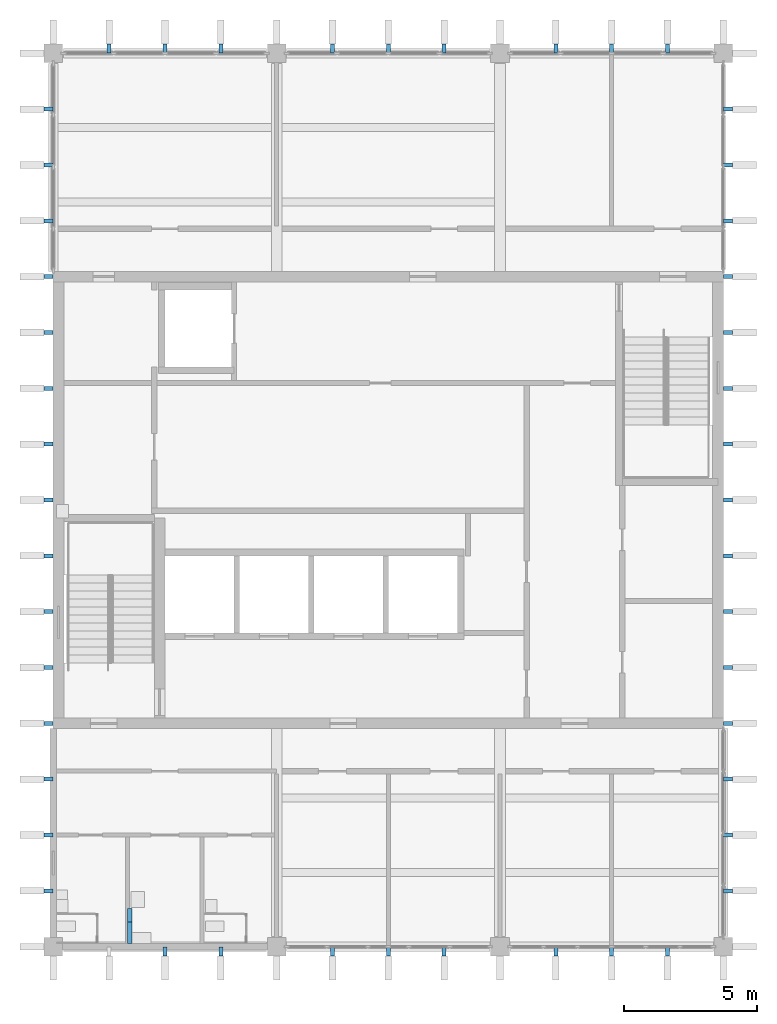
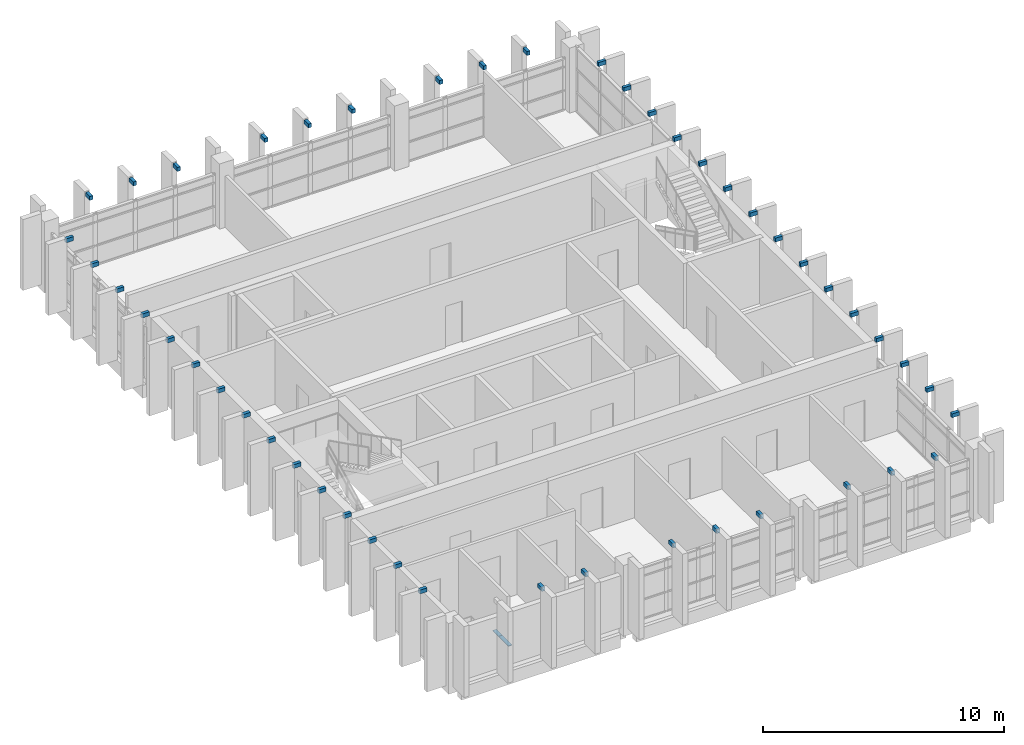
# One storey, part 9 of 11: 49 discrete accessories.
"""IFC4 building model written with IfcOpenShell, lengths in metres."""

from ifc_helpers import new_model, si_unit, direction, frame, origin, origin_2d, place, context, subcontext, project, spatial, rectangle, extrude, material, type_object, element, save


model = new_model("IFC4")

# Units and contexts
model_context = context("Model", 3, precision=1e-05, world=origin(), true_north=direction((0.0, 1.0)))
body_context = subcontext(model_context, "Body", "Model", "MODEL_VIEW")
ifc_project = project(units=[si_unit("LENGTHUNIT", "METRE"), si_unit("AREAUNIT", "SQUARE_METRE"), si_unit("VOLUMEUNIT", "CUBIC_METRE"), si_unit("PLANEANGLEUNIT", "RADIAN"), si_unit("MASSUNIT", "GRAM", prefix="KILO")], contexts=[model_context])

# Site, building, storey
site_placement = place(None, origin())
site = spatial("IfcSite", under=ifc_project, at=site_placement, CompositionType="ELEMENT")
building_placement = place(site_placement, origin())
building = spatial("IfcBuilding", under=site, at=building_placement, Name="Rulbaag Community and Learning Centre", CompositionType="ELEMENT")
storey_placement = place(building_placement, frame((0.0, 0.0, 50.39990234375)))
storey = spatial("IfcBuildingStorey", under=building, at=storey_placement, Name="L13", CompositionType="ELEMENT", Elevation=50.39990234375)

# Discrete accessories
ifc_material_1 = material(Name="Steel E350", Category="steel")
discrete_accessory_type_1 = type_object("IfcDiscreteAccessoryType", Name="BR-FN", PredefinedType="BRACKET", material=ifc_material_1)
for number, where, z_axis, x_axis, name in (
    (1, (147.0, 83.824951171875, 3.35009765625), (0.0, 0.0, 1.0), (1.0, 0.0, 0.0), "Fin arm"),
    (2, (149.10009765625, 83.824951171875, 3.35009765625), (0.0, 0.0, 1.0), (1.0, 0.0, 0.0), "Fin arm"),
    (3, (153.300048828125, 83.824951171875, 3.35009765625), (0.0, 0.0, 1.0), (1.0, 0.0, 0.0), "Fin arm"),
    (4, (155.39990234375, 83.824951171875, 3.35009765625), (0.0, 0.0, 1.0), (1.0, 0.0, 0.0), "Fin arm"),
    (5, (157.5, 83.824951171875, 3.35009765625), (0.0, 0.0, 1.0), (1.0, 0.0, 0.0), "Fin arm"),
    (6, (161.699951171875, 83.824951171875, 3.35009765625), (0.0, 0.0, 1.0), (1.0, 0.0, 0.0), "Fin arm"),
    (7, (163.800048828125, 83.824951171875, 3.35009765625), (0.0, 0.0, 1.0), (1.0, 0.0, 0.0), "Fin arm"),
    (8, (165.89990234375, 83.824951171875, 3.35009765625), (0.0, 0.0, 1.0), (1.0, 0.0, 0.0), "Fin arm"),
    (9, (144.89990234375, 117.77490234375, 3.35009765625), (0.0, 0.0, 1.0), (1.0, 0.0, 0.0), "Fin arm"),
    (10, (147.0, 117.77490234375, 3.35009765625), (0.0, 0.0, 1.0), (1.0, 0.0, 0.0), "Fin arm"),
    (11, (149.10009765625, 117.77490234375, 3.35009765625), (0.0, 0.0, 1.0), (1.0, 0.0, 0.0), "Fin arm"),
    (12, (153.300048828125, 117.77490234375, 3.35009765625), (0.0, 0.0, 1.0), (1.0, 0.0, 0.0), "Fin arm"),
    (13, (155.39990234375, 117.77490234375, 3.35009765625), (0.0, 0.0, 1.0), (1.0, 0.0, 0.0), "Fin arm"),
    (14, (157.5, 117.77490234375, 3.35009765625), (0.0, 0.0, 1.0), (1.0, 0.0, 0.0), "Fin arm"),
    (15, (161.699951171875, 117.77490234375, 3.35009765625), (0.0, 0.0, 1.0), (1.0, 0.0, 0.0), "Fin arm"),
    (16, (163.800048828125, 117.77490234375, 3.35009765625), (0.0, 0.0, 1.0), (1.0, 0.0, 0.0), "Fin arm"),
    (17, (165.89990234375, 117.77490234375, 3.35009765625), (0.0, 0.0, 1.0), (1.0, 0.0, 0.0), "Fin arm"),
):
    element("IfcDiscreteAccessory", number, at=place(storey_placement, frame(where, z_axis=z_axis, x_axis=x_axis)), inside=storey, type_object=discrete_accessory_type_1, Name=name, PredefinedType="BRACKET", context=body_context, shape_type="SweptSolid", body=[
        extrude(rectangle(XDim=0.14990234375, YDim=0.35009765625, at=origin_2d()), origin(), (0.0, 0.0, 1.0), 0.199951171875),
    ])
for number, where, z_axis, x_axis, name in (
    (18, (142.625, 86.10009765625, 3.35009765625), (0.0, 0.0, 1.0), (1.0, 0.0, 0.0), "Fin arm"),
    (19, (142.625, 88.199951171875, 3.35009765625), (0.0, 0.0, 1.0), (1.0, 0.0, 0.0), "Fin arm"),
    (20, (142.625, 90.300048828125, 3.35009765625), (0.0, 0.0, 1.0), (1.0, 0.0, 0.0), "Fin arm"),
    (21, (142.625, 92.39990234375, 3.35009765625), (0.0, 0.0, 1.0), (1.0, 0.0, 0.0), "Fin arm"),
    (22, (142.625, 94.5, 3.35009765625), (0.0, 0.0, 1.0), (1.0, 0.0, 0.0), "Fin arm"),
    (23, (142.625, 96.60009765625, 3.35009765625), (0.0, 0.0, 1.0), (1.0, 0.0, 0.0), "Fin arm"),
    (24, (142.625, 98.699951171875, 3.35009765625), (0.0, 0.0, 1.0), (1.0, 0.0, 0.0), "Fin arm"),
    (25, (142.625, 100.800048828125, 3.35009765625), (0.0, 0.0, 1.0), (1.0, 0.0, 0.0), "Fin arm"),
    (26, (142.625, 102.89990234375, 3.35009765625), (0.0, 0.0, 1.0), (1.0, 0.0, 0.0), "Fin arm"),
    (27, (142.625, 105.0, 3.35009765625), (0.0, 0.0, 1.0), (1.0, 0.0, 0.0), "Fin arm"),
    (28, (142.625, 107.10009765625, 3.35009765625), (0.0, 0.0, 1.0), (1.0, 0.0, 0.0), "Fin arm"),
    (29, (142.625, 109.199951171875, 3.35009765625), (0.0, 0.0, 1.0), (1.0, 0.0, 0.0), "Fin arm"),
    (30, (142.625, 111.300048828125, 3.35009765625), (0.0, 0.0, 1.0), (1.0, 0.0, 0.0), "Fin arm"),
    (31, (142.625, 113.39990234375, 3.35009765625), (0.0, 0.0, 1.0), (1.0, 0.0, 0.0), "Fin arm"),
    (32, (142.625, 115.5, 3.35009765625), (0.0, 0.0, 1.0), (1.0, 0.0, 0.0), "Fin arm"),
    (33, (168.175048828125, 86.10009765625, 3.35009765625), (0.0, 0.0, 1.0), (1.0, 0.0, 0.0), "Fin arm"),
    (34, (168.175048828125, 88.199951171875, 3.35009765625), (0.0, 0.0, 1.0), (1.0, 0.0, 0.0), "Fin arm"),
    (35, (168.175048828125, 90.300048828125, 3.35009765625), (0.0, 0.0, 1.0), (1.0, 0.0, 0.0), "Fin arm"),
    (36, (168.175048828125, 92.39990234375, 3.35009765625), (0.0, 0.0, 1.0), (1.0, 0.0, 0.0), "Fin arm"),
    (37, (168.175048828125, 94.5, 3.35009765625), (0.0, 0.0, 1.0), (1.0, 0.0, 0.0), "Fin arm"),
    (38, (168.175048828125, 96.60009765625, 3.35009765625), (0.0, 0.0, 1.0), (1.0, 0.0, 0.0), "Fin arm"),
    (39, (168.175048828125, 98.699951171875, 3.35009765625), (0.0, 0.0, 1.0), (1.0, 0.0, 0.0), "Fin arm"),
    (40, (168.175048828125, 100.800048828125, 3.35009765625), (0.0, 0.0, 1.0), (1.0, 0.0, 0.0), "Fin arm"),
    (41, (168.175048828125, 102.89990234375, 3.35009765625), (0.0, 0.0, 1.0), (1.0, 0.0, 0.0), "Fin arm"),
    (42, (168.175048828125, 105.0, 3.35009765625), (0.0, 0.0, 1.0), (1.0, 0.0, 0.0), "Fin arm"),
    (43, (168.175048828125, 107.10009765625, 3.35009765625), (0.0, 0.0, 1.0), (1.0, 0.0, 0.0), "Fin arm"),
    (44, (168.175048828125, 109.199951171875, 3.35009765625), (0.0, 0.0, 1.0), (1.0, 0.0, 0.0), "Fin arm"),
    (45, (168.175048828125, 111.300048828125, 3.35009765625), (0.0, 0.0, 1.0), (1.0, 0.0, 0.0), "Fin arm"),
    (46, (168.175048828125, 113.39990234375, 3.35009765625), (0.0, 0.0, 1.0), (1.0, 0.0, 0.0), "Fin arm"),
    (47, (168.175048828125, 115.5, 3.35009765625), (0.0, 0.0, 1.0), (1.0, 0.0, 0.0), "Fin arm"),
):
    element("IfcDiscreteAccessory", number, at=place(storey_placement, frame(where, z_axis=z_axis, x_axis=x_axis)), inside=storey, type_object=discrete_accessory_type_1, Name=name, PredefinedType="BRACKET", context=body_context, shape_type="SweptSolid", body=[
        extrude(rectangle(XDim=0.35009765625, YDim=0.14990234375, at=origin_2d()), origin(), (0.0, 0.0, 1.0), 0.199951171875),
    ])
ifc_material_2 = material(Name="Stainless steel grade 316", Category="steel")
discrete_accessory_type_2 = type_object("IfcDiscreteAccessoryType", Name="GR-800", PredefinedType="USERDEFINED", material=ifc_material_2)
for number, where, z_axis, x_axis, name in (
    (48, (145.68505859375, 84.530029296875, 0.72998046875), (0.0, 0.0, 1.0), (1.0, 0.0, 0.0), "Grab rail"),
    (49, (145.68505859375, 85.030029296875, 0.72998046875), (0.0, 0.0, 1.0), (1.0, 0.0, 0.0), "Grab rail"),
):
    element("IfcDiscreteAccessory", number, at=place(storey_placement, frame(where, z_axis=z_axis, x_axis=x_axis)), inside=storey, type_object=discrete_accessory_type_2, Name=name, ObjectType="GRAB RAIL", PredefinedType="USERDEFINED", context=body_context, shape_type="SweptSolid", body=[
        extrude(rectangle(XDim=0.169921875, YDim=0.800048828125, at=origin_2d()), origin(), (0.0, 0.0, 1.0), 0.0400390625),
    ])

save(model, "model.ifc")
